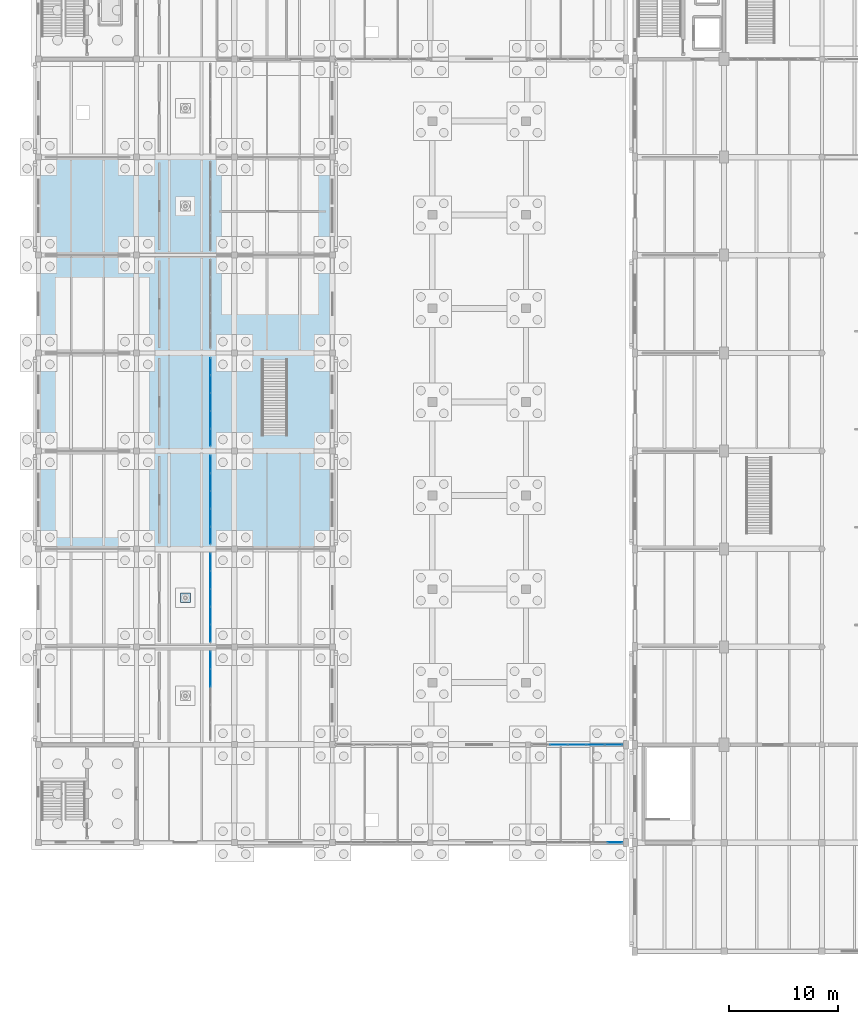
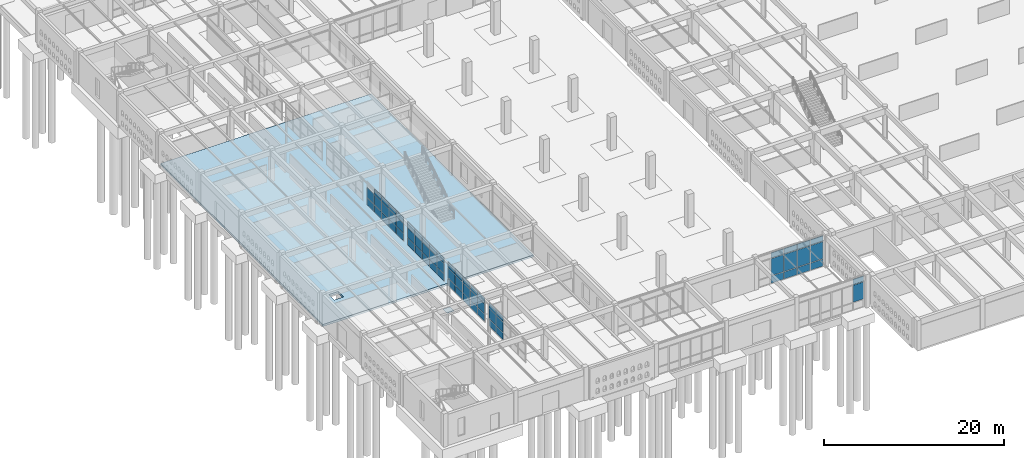
# One storey, part 142 of 186: 65 plates, 1 slab, 6 elements without a shape of their own.
"""IFC4 building model written with IfcOpenShell, lengths in metres."""

from ifc_helpers import new_model, si_unit, direction, frame, origin, origin_2d, place, context, subcontext, project, spatial, polyline, rectangle, outline, extrude, material, layer, layer_set, type_object, element, aggregate, save


model = new_model("IFC4")

# Units and contexts
model_context = context("Model", 3, precision=1e-05, world=origin(), true_north=direction((0.0, 1.0)))
body_context = subcontext(model_context, "Body", "Model", "MODEL_VIEW")
ifc_project = project(units=[si_unit("LENGTHUNIT", "METRE"), si_unit("AREAUNIT", "SQUARE_METRE"), si_unit("VOLUMEUNIT", "CUBIC_METRE"), si_unit("PLANEANGLEUNIT", "RADIAN"), si_unit("MASSUNIT", "GRAM", prefix="KILO")], contexts=[model_context])

# Site, building, storey
site_placement = place(None, origin())
site = spatial("IfcSite", under=ifc_project, at=site_placement, CompositionType="ELEMENT")
building_placement = place(site_placement, origin())
building = spatial("IfcBuilding", under=site, at=building_placement, Name="Ornek Quay Market", CompositionType="ELEMENT")
storey_placement = place(building_placement, origin())
storey = spatial("IfcBuildingStorey", under=building, at=storey_placement, Name="L00", CompositionType="ELEMENT", Elevation=0.0)

# Plate
ifc_material_1 = material(Name="Steel S355", Category="steel")
ifc_layer_1 = layer(ifc_material_1, 0.89990234375, Name="Steel S355", Category="steel")
ifc_layer_set_1 = layer_set([ifc_layer_1], Name="Steel S355")
plate_type_1 = type_object("IfcPlateType", Name="PL-BASE-900x900x40", PredefinedType="SHEET", material=ifc_layer_set_1)
plate_1_placement = place(storey_placement, frame((13.5, 42.5, -0.0400390625), z_axis=(0.0, 0.0, 1.0), x_axis=(1.0, 0.0, 0.0)))
element("IfcPlate", 1, at=plate_1_placement, inside=storey, type_object=plate_type_1, Name="Column base plate BP-05", PredefinedType="SHEET", context=body_context, shape_type="SweptSolid", body=[
    extrude(rectangle(XDim=0.89990234375, YDim=0.89990234375, at=origin_2d()), origin(), (0.0, 0.0, 1.0), 0.0400390625),
])

# Curtain wall, plates
ifc_material_2 = material(Name="Anodised bronze aluminium and triple low-e glass", Category="aluminium")
ifc_layer_2 = layer(ifc_material_2, 0.179931640625, Name="Anodised bronze aluminium and triple low-e glass", Category="aluminium")
ifc_layer_set_2 = layer_set([ifc_layer_2], Name="Anodised bronze aluminium and triple low-e glass")
curtain_wall_type_1 = type_object("IfcCurtainWallType", Name="CW-CONC-MOD1500", PredefinedType="USERDEFINED", material=ifc_layer_set_2)
curtain_wall_1_placement = place(storey_placement, origin())
curtain_wall_1 = element("IfcCurtainWall", 2, at=curtain_wall_1_placement, inside=storey, type_object=curtain_wall_type_1, Name="Curtain wall CW-134", ObjectType="CURTAIN WALL", PredefinedType="USERDEFINED")
ifc_material_3 = material(Name="Toughened laminated acoustic glass", Category="glass")
ifc_layer_3 = layer(ifc_material_3, 0.01611328125, Name="Toughened laminated acoustic glass", Category="glass")
ifc_layer_set_3 = layer_set([ifc_layer_3], Name="Toughened laminated acoustic glass")
plate_type_2 = type_object("IfcPlateType", Name="PL-CW-INT-16", PredefinedType="CURTAIN_PANEL", material=ifc_layer_set_3)
plate_2_placement = place(storey_placement, frame((15.800048828125, 35.139892578125, 0.06005859375), z_axis=(0.0, 0.0, 1.0), x_axis=(0.0, 1.0, 0.0)))
plate_2 = element("IfcPlate", 3, at=plate_2_placement, type_object=plate_type_2, Name="CW-134 panel 4.1", PredefinedType="CURTAIN_PANEL", context=body_context, shape_type="SweptSolid", body=[
    extrude(rectangle(XDim=1.580078125, YDim=0.01611328125, at=origin_2d()), origin(), (0.0, 0.0, 1.0), 0.9599609375),
])
plate_3_placement = place(storey_placement, frame((15.800048828125, 35.139892578125, 1.080078125), z_axis=(0.0, 0.0, 1.0), x_axis=(0.0, 1.0, 0.0)))
plate_3 = element("IfcPlate", 4, at=plate_3_placement, type_object=plate_type_2, Name="CW-134 panel 4.2", PredefinedType="CURTAIN_PANEL", context=body_context, shape_type="SweptSolid", body=[
    extrude(rectangle(XDim=1.580078125, YDim=0.01611328125, at=origin_2d()), origin(), (0.0, 0.0, 1.0), 1.340087890625),
])
plate_4_placement = place(storey_placement, frame((15.800048828125, 35.139892578125, 2.47998046875), z_axis=(0.0, 0.0, 1.0), x_axis=(0.0, 1.0, 0.0)))
plate_4 = element("IfcPlate", 5, at=plate_4_placement, type_object=plate_type_2, Name="CW-134 panel 4.3", PredefinedType="CURTAIN_PANEL", context=body_context, shape_type="SweptSolid", body=[
    extrude(rectangle(XDim=1.580078125, YDim=0.01611328125, at=origin_2d()), origin(), (0.0, 0.0, 1.0), 0.760009765625),
])
plate_5_placement = place(storey_placement, frame((15.800048828125, 36.764892578125, 0.06005859375), z_axis=(0.0, 0.0, 1.0), x_axis=(0.0, 1.0, 0.0)))
plate_5 = element("IfcPlate", 6, at=plate_5_placement, type_object=plate_type_2, Name="CW-134 panel 5.1", PredefinedType="CURTAIN_PANEL", context=body_context, shape_type="SweptSolid", body=[
    extrude(rectangle(XDim=1.550048828125, YDim=0.01611328125, at=origin_2d()), origin(), (0.0, 0.0, 1.0), 0.9599609375),
])
plate_6_placement = place(storey_placement, frame((15.800048828125, 36.764892578125, 1.080078125), z_axis=(0.0, 0.0, 1.0), x_axis=(0.0, 1.0, 0.0)))
plate_6 = element("IfcPlate", 7, at=plate_6_placement, type_object=plate_type_2, Name="CW-134 panel 5.2", PredefinedType="CURTAIN_PANEL", context=body_context, shape_type="SweptSolid", body=[
    extrude(rectangle(XDim=1.550048828125, YDim=0.01611328125, at=origin_2d()), origin(), (0.0, 0.0, 1.0), 1.340087890625),
])
plate_7_placement = place(storey_placement, frame((15.800048828125, 36.764892578125, 2.47998046875), z_axis=(0.0, 0.0, 1.0), x_axis=(0.0, 1.0, 0.0)))
plate_7 = element("IfcPlate", 8, at=plate_7_placement, type_object=plate_type_2, Name="CW-134 panel 5.3", PredefinedType="CURTAIN_PANEL", context=body_context, shape_type="SweptSolid", body=[
    extrude(rectangle(XDim=1.550048828125, YDim=0.01611328125, at=origin_2d()), origin(), (0.0, 0.0, 1.0), 0.760009765625),
])
aggregate(curtain_wall_1, [plate_2, plate_3, plate_4, plate_5, plate_6, plate_7])

curtain_wall_2_placement = place(storey_placement, origin())
curtain_wall_2 = element("IfcCurtainWall", 9, at=curtain_wall_2_placement, inside=storey, type_object=curtain_wall_type_1, Name="Curtain wall CW-136", ObjectType="CURTAIN WALL", PredefinedType="USERDEFINED")
plate_8_placement = place(storey_placement, frame((15.800048828125, 39.235107421875, 0.06005859375), z_axis=(0.0, 0.0, 1.0), x_axis=(0.0, 1.0, 0.0)))
plate_8 = element("IfcPlate", 10, at=plate_8_placement, type_object=plate_type_2, Name="CW-136 panel 1.1", PredefinedType="CURTAIN_PANEL", context=body_context, shape_type="SweptSolid", body=[
    extrude(rectangle(XDim=1.550048828125, YDim=0.01611328125, at=origin_2d()), origin(), (0.0, 0.0, 1.0), 0.9599609375),
])
plate_9_placement = place(storey_placement, frame((15.800048828125, 39.235107421875, 1.080078125), z_axis=(0.0, 0.0, 1.0), x_axis=(0.0, 1.0, 0.0)))
plate_9 = element("IfcPlate", 11, at=plate_9_placement, type_object=plate_type_2, Name="CW-136 panel 1.2", PredefinedType="CURTAIN_PANEL", context=body_context, shape_type="SweptSolid", body=[
    extrude(rectangle(XDim=1.550048828125, YDim=0.01611328125, at=origin_2d()), origin(), (0.0, 0.0, 1.0), 1.340087890625),
])
plate_10_placement = place(storey_placement, frame((15.800048828125, 39.235107421875, 2.47998046875), z_axis=(0.0, 0.0, 1.0), x_axis=(0.0, 1.0, 0.0)))
plate_10 = element("IfcPlate", 12, at=plate_10_placement, type_object=plate_type_2, Name="CW-136 panel 1.3", PredefinedType="CURTAIN_PANEL", context=body_context, shape_type="SweptSolid", body=[
    extrude(rectangle(XDim=1.550048828125, YDim=0.01611328125, at=origin_2d()), origin(), (0.0, 0.0, 1.0), 0.760009765625),
])
plate_11_placement = place(storey_placement, frame((15.800048828125, 40.860107421875, 0.06005859375), z_axis=(0.0, 0.0, 1.0), x_axis=(0.0, 1.0, 0.0)))
plate_11 = element("IfcPlate", 13, at=plate_11_placement, type_object=plate_type_2, Name="CW-136 panel 2.1", PredefinedType="CURTAIN_PANEL", context=body_context, shape_type="SweptSolid", body=[
    extrude(rectangle(XDim=1.580078125, YDim=0.01611328125, at=origin_2d()), origin(), (0.0, 0.0, 1.0), 0.9599609375),
])
plate_12_placement = place(storey_placement, frame((15.800048828125, 40.860107421875, 1.080078125), z_axis=(0.0, 0.0, 1.0), x_axis=(0.0, 1.0, 0.0)))
plate_12 = element("IfcPlate", 14, at=plate_12_placement, type_object=plate_type_2, Name="CW-136 panel 2.2", PredefinedType="CURTAIN_PANEL", context=body_context, shape_type="SweptSolid", body=[
    extrude(rectangle(XDim=1.580078125, YDim=0.01611328125, at=origin_2d()), origin(), (0.0, 0.0, 1.0), 1.340087890625),
])
plate_13_placement = place(storey_placement, frame((15.800048828125, 40.860107421875, 2.47998046875), z_axis=(0.0, 0.0, 1.0), x_axis=(0.0, 1.0, 0.0)))
plate_13 = element("IfcPlate", 15, at=plate_13_placement, type_object=plate_type_2, Name="CW-136 panel 2.3", PredefinedType="CURTAIN_PANEL", context=body_context, shape_type="SweptSolid", body=[
    extrude(rectangle(XDim=1.580078125, YDim=0.01611328125, at=origin_2d()), origin(), (0.0, 0.0, 1.0), 0.760009765625),
])
plate_14_placement = place(storey_placement, frame((15.800048828125, 42.5, 0.06005859375), z_axis=(0.0, 0.0, 1.0), x_axis=(0.0, 1.0, 0.0)))
plate_14 = element("IfcPlate", 16, at=plate_14_placement, type_object=plate_type_2, Name="CW-136 panel 3.1", PredefinedType="CURTAIN_PANEL", context=body_context, shape_type="SweptSolid", body=[
    extrude(rectangle(XDim=1.580078125, YDim=0.01611328125, at=origin_2d()), origin(), (0.0, 0.0, 1.0), 0.9599609375),
])
plate_15_placement = place(storey_placement, frame((15.800048828125, 42.5, 1.080078125), z_axis=(0.0, 0.0, 1.0), x_axis=(0.0, 1.0, 0.0)))
plate_15 = element("IfcPlate", 17, at=plate_15_placement, type_object=plate_type_2, Name="CW-136 panel 3.2", PredefinedType="CURTAIN_PANEL", context=body_context, shape_type="SweptSolid", body=[
    extrude(rectangle(XDim=1.580078125, YDim=0.01611328125, at=origin_2d()), origin(), (0.0, 0.0, 1.0), 1.340087890625),
])
plate_16_placement = place(storey_placement, frame((15.800048828125, 42.5, 2.47998046875), z_axis=(0.0, 0.0, 1.0), x_axis=(0.0, 1.0, 0.0)))
plate_16 = element("IfcPlate", 18, at=plate_16_placement, type_object=plate_type_2, Name="CW-136 panel 3.3", PredefinedType="CURTAIN_PANEL", context=body_context, shape_type="SweptSolid", body=[
    extrude(rectangle(XDim=1.580078125, YDim=0.01611328125, at=origin_2d()), origin(), (0.0, 0.0, 1.0), 0.760009765625),
])
plate_17_placement = place(storey_placement, frame((15.800048828125, 44.139892578125, 0.06005859375), z_axis=(0.0, 0.0, 1.0), x_axis=(0.0, 1.0, 0.0)))
plate_17 = element("IfcPlate", 19, at=plate_17_placement, type_object=plate_type_2, Name="CW-136 panel 4.1", PredefinedType="CURTAIN_PANEL", context=body_context, shape_type="SweptSolid", body=[
    extrude(rectangle(XDim=1.580078125, YDim=0.01611328125, at=origin_2d()), origin(), (0.0, 0.0, 1.0), 0.9599609375),
])
plate_18_placement = place(storey_placement, frame((15.800048828125, 44.139892578125, 1.080078125), z_axis=(0.0, 0.0, 1.0), x_axis=(0.0, 1.0, 0.0)))
plate_18 = element("IfcPlate", 20, at=plate_18_placement, type_object=plate_type_2, Name="CW-136 panel 4.2", PredefinedType="CURTAIN_PANEL", context=body_context, shape_type="SweptSolid", body=[
    extrude(rectangle(XDim=1.580078125, YDim=0.01611328125, at=origin_2d()), origin(), (0.0, 0.0, 1.0), 1.340087890625),
])
plate_19_placement = place(storey_placement, frame((15.800048828125, 44.139892578125, 2.47998046875), z_axis=(0.0, 0.0, 1.0), x_axis=(0.0, 1.0, 0.0)))
plate_19 = element("IfcPlate", 21, at=plate_19_placement, type_object=plate_type_2, Name="CW-136 panel 4.3", PredefinedType="CURTAIN_PANEL", context=body_context, shape_type="SweptSolid", body=[
    extrude(rectangle(XDim=1.580078125, YDim=0.01611328125, at=origin_2d()), origin(), (0.0, 0.0, 1.0), 0.760009765625),
])
plate_20_placement = place(storey_placement, frame((15.800048828125, 45.764892578125, 0.06005859375), z_axis=(0.0, 0.0, 1.0), x_axis=(0.0, 1.0, 0.0)))
plate_20 = element("IfcPlate", 22, at=plate_20_placement, type_object=plate_type_2, Name="CW-136 panel 5.1", PredefinedType="CURTAIN_PANEL", context=body_context, shape_type="SweptSolid", body=[
    extrude(rectangle(XDim=1.550048828125, YDim=0.01611328125, at=origin_2d()), origin(), (0.0, 0.0, 1.0), 0.9599609375),
])
plate_21_placement = place(storey_placement, frame((15.800048828125, 45.764892578125, 1.080078125), z_axis=(0.0, 0.0, 1.0), x_axis=(0.0, 1.0, 0.0)))
plate_21 = element("IfcPlate", 23, at=plate_21_placement, type_object=plate_type_2, Name="CW-136 panel 5.2", PredefinedType="CURTAIN_PANEL", context=body_context, shape_type="SweptSolid", body=[
    extrude(rectangle(XDim=1.550048828125, YDim=0.01611328125, at=origin_2d()), origin(), (0.0, 0.0, 1.0), 1.340087890625),
])
plate_22_placement = place(storey_placement, frame((15.800048828125, 45.764892578125, 2.47998046875), z_axis=(0.0, 0.0, 1.0), x_axis=(0.0, 1.0, 0.0)))
plate_22 = element("IfcPlate", 24, at=plate_22_placement, type_object=plate_type_2, Name="CW-136 panel 5.3", PredefinedType="CURTAIN_PANEL", context=body_context, shape_type="SweptSolid", body=[
    extrude(rectangle(XDim=1.550048828125, YDim=0.01611328125, at=origin_2d()), origin(), (0.0, 0.0, 1.0), 0.760009765625),
])
aggregate(curtain_wall_2, [plate_8, plate_9, plate_10, plate_11, plate_12, plate_13, plate_14, plate_15, plate_16, plate_17, plate_18, plate_19, plate_20, plate_21, plate_22])

curtain_wall_3_placement = place(storey_placement, origin())
curtain_wall_3 = element("IfcCurtainWall", 25, at=curtain_wall_3_placement, inside=storey, type_object=curtain_wall_type_1, Name="Curtain wall CW-138", ObjectType="CURTAIN WALL", PredefinedType="USERDEFINED")
plate_23_placement = place(storey_placement, frame((15.800048828125, 48.235107421875, 0.06005859375), z_axis=(0.0, 0.0, 1.0), x_axis=(0.0, 1.0, 0.0)))
plate_23 = element("IfcPlate", 26, at=plate_23_placement, type_object=plate_type_2, Name="CW-138 panel 1.1", PredefinedType="CURTAIN_PANEL", context=body_context, shape_type="SweptSolid", body=[
    extrude(rectangle(XDim=1.550048828125, YDim=0.01611328125, at=origin_2d()), origin(), (0.0, 0.0, 1.0), 0.9599609375),
])
plate_24_placement = place(storey_placement, frame((15.800048828125, 48.235107421875, 1.080078125), z_axis=(0.0, 0.0, 1.0), x_axis=(0.0, 1.0, 0.0)))
plate_24 = element("IfcPlate", 27, at=plate_24_placement, type_object=plate_type_2, Name="CW-138 panel 1.2", PredefinedType="CURTAIN_PANEL", context=body_context, shape_type="SweptSolid", body=[
    extrude(rectangle(XDim=1.550048828125, YDim=0.01611328125, at=origin_2d()), origin(), (0.0, 0.0, 1.0), 1.340087890625),
])
plate_25_placement = place(storey_placement, frame((15.800048828125, 48.235107421875, 2.47998046875), z_axis=(0.0, 0.0, 1.0), x_axis=(0.0, 1.0, 0.0)))
plate_25 = element("IfcPlate", 28, at=plate_25_placement, type_object=plate_type_2, Name="CW-138 panel 1.3", PredefinedType="CURTAIN_PANEL", context=body_context, shape_type="SweptSolid", body=[
    extrude(rectangle(XDim=1.550048828125, YDim=0.01611328125, at=origin_2d()), origin(), (0.0, 0.0, 1.0), 0.760009765625),
])
plate_26_placement = place(storey_placement, frame((15.800048828125, 49.860107421875, 0.06005859375), z_axis=(0.0, 0.0, 1.0), x_axis=(0.0, 1.0, 0.0)))
plate_26 = element("IfcPlate", 29, at=plate_26_placement, type_object=plate_type_2, Name="CW-138 panel 2.1", PredefinedType="CURTAIN_PANEL", context=body_context, shape_type="SweptSolid", body=[
    extrude(rectangle(XDim=1.580078125, YDim=0.01611328125, at=origin_2d()), origin(), (0.0, 0.0, 1.0), 0.9599609375),
])
plate_27_placement = place(storey_placement, frame((15.800048828125, 49.860107421875, 1.080078125), z_axis=(0.0, 0.0, 1.0), x_axis=(0.0, 1.0, 0.0)))
plate_27 = element("IfcPlate", 30, at=plate_27_placement, type_object=plate_type_2, Name="CW-138 panel 2.2", PredefinedType="CURTAIN_PANEL", context=body_context, shape_type="SweptSolid", body=[
    extrude(rectangle(XDim=1.580078125, YDim=0.01611328125, at=origin_2d()), origin(), (0.0, 0.0, 1.0), 1.340087890625),
])
plate_28_placement = place(storey_placement, frame((15.800048828125, 49.860107421875, 2.47998046875), z_axis=(0.0, 0.0, 1.0), x_axis=(0.0, 1.0, 0.0)))
plate_28 = element("IfcPlate", 31, at=plate_28_placement, type_object=plate_type_2, Name="CW-138 panel 2.3", PredefinedType="CURTAIN_PANEL", context=body_context, shape_type="SweptSolid", body=[
    extrude(rectangle(XDim=1.580078125, YDim=0.01611328125, at=origin_2d()), origin(), (0.0, 0.0, 1.0), 0.760009765625),
])
plate_29_placement = place(storey_placement, frame((15.800048828125, 51.5, 0.06005859375), z_axis=(0.0, 0.0, 1.0), x_axis=(0.0, 1.0, 0.0)))
plate_29 = element("IfcPlate", 32, at=plate_29_placement, type_object=plate_type_2, Name="CW-138 panel 3.1", PredefinedType="CURTAIN_PANEL", context=body_context, shape_type="SweptSolid", body=[
    extrude(rectangle(XDim=1.580078125, YDim=0.01611328125, at=origin_2d()), origin(), (0.0, 0.0, 1.0), 0.9599609375),
])
plate_30_placement = place(storey_placement, frame((15.800048828125, 51.5, 1.080078125), z_axis=(0.0, 0.0, 1.0), x_axis=(0.0, 1.0, 0.0)))
plate_30 = element("IfcPlate", 33, at=plate_30_placement, type_object=plate_type_2, Name="CW-138 panel 3.2", PredefinedType="CURTAIN_PANEL", context=body_context, shape_type="SweptSolid", body=[
    extrude(rectangle(XDim=1.580078125, YDim=0.01611328125, at=origin_2d()), origin(), (0.0, 0.0, 1.0), 1.340087890625),
])
plate_31_placement = place(storey_placement, frame((15.800048828125, 51.5, 2.47998046875), z_axis=(0.0, 0.0, 1.0), x_axis=(0.0, 1.0, 0.0)))
plate_31 = element("IfcPlate", 34, at=plate_31_placement, type_object=plate_type_2, Name="CW-138 panel 3.3", PredefinedType="CURTAIN_PANEL", context=body_context, shape_type="SweptSolid", body=[
    extrude(rectangle(XDim=1.580078125, YDim=0.01611328125, at=origin_2d()), origin(), (0.0, 0.0, 1.0), 0.760009765625),
])
plate_32_placement = place(storey_placement, frame((15.800048828125, 53.139892578125, 0.06005859375), z_axis=(0.0, 0.0, 1.0), x_axis=(0.0, 1.0, 0.0)))
plate_32 = element("IfcPlate", 35, at=plate_32_placement, type_object=plate_type_2, Name="CW-138 panel 4.1", PredefinedType="CURTAIN_PANEL", context=body_context, shape_type="SweptSolid", body=[
    extrude(rectangle(XDim=1.580078125, YDim=0.01611328125, at=origin_2d()), origin(), (0.0, 0.0, 1.0), 0.9599609375),
])
plate_33_placement = place(storey_placement, frame((15.800048828125, 53.139892578125, 1.080078125), z_axis=(0.0, 0.0, 1.0), x_axis=(0.0, 1.0, 0.0)))
plate_33 = element("IfcPlate", 36, at=plate_33_placement, type_object=plate_type_2, Name="CW-138 panel 4.2", PredefinedType="CURTAIN_PANEL", context=body_context, shape_type="SweptSolid", body=[
    extrude(rectangle(XDim=1.580078125, YDim=0.01611328125, at=origin_2d()), origin(), (0.0, 0.0, 1.0), 1.340087890625),
])
plate_34_placement = place(storey_placement, frame((15.800048828125, 53.139892578125, 2.47998046875), z_axis=(0.0, 0.0, 1.0), x_axis=(0.0, 1.0, 0.0)))
plate_34 = element("IfcPlate", 37, at=plate_34_placement, type_object=plate_type_2, Name="CW-138 panel 4.3", PredefinedType="CURTAIN_PANEL", context=body_context, shape_type="SweptSolid", body=[
    extrude(rectangle(XDim=1.580078125, YDim=0.01611328125, at=origin_2d()), origin(), (0.0, 0.0, 1.0), 0.760009765625),
])
plate_35_placement = place(storey_placement, frame((15.800048828125, 54.764892578125, 0.06005859375), z_axis=(0.0, 0.0, 1.0), x_axis=(0.0, 1.0, 0.0)))
plate_35 = element("IfcPlate", 38, at=plate_35_placement, type_object=plate_type_2, Name="CW-138 panel 5.1", PredefinedType="CURTAIN_PANEL", context=body_context, shape_type="SweptSolid", body=[
    extrude(rectangle(XDim=1.550048828125, YDim=0.01611328125, at=origin_2d()), origin(), (0.0, 0.0, 1.0), 0.9599609375),
])
plate_36_placement = place(storey_placement, frame((15.800048828125, 54.764892578125, 1.080078125), z_axis=(0.0, 0.0, 1.0), x_axis=(0.0, 1.0, 0.0)))
plate_36 = element("IfcPlate", 39, at=plate_36_placement, type_object=plate_type_2, Name="CW-138 panel 5.2", PredefinedType="CURTAIN_PANEL", context=body_context, shape_type="SweptSolid", body=[
    extrude(rectangle(XDim=1.550048828125, YDim=0.01611328125, at=origin_2d()), origin(), (0.0, 0.0, 1.0), 1.340087890625),
])
plate_37_placement = place(storey_placement, frame((15.800048828125, 54.764892578125, 2.47998046875), z_axis=(0.0, 0.0, 1.0), x_axis=(0.0, 1.0, 0.0)))
plate_37 = element("IfcPlate", 40, at=plate_37_placement, type_object=plate_type_2, Name="CW-138 panel 5.3", PredefinedType="CURTAIN_PANEL", context=body_context, shape_type="SweptSolid", body=[
    extrude(rectangle(XDim=1.550048828125, YDim=0.01611328125, at=origin_2d()), origin(), (0.0, 0.0, 1.0), 0.760009765625),
])
aggregate(curtain_wall_3, [plate_23, plate_24, plate_25, plate_26, plate_27, plate_28, plate_29, plate_30, plate_31, plate_32, plate_33, plate_34, plate_35, plate_36, plate_37])

curtain_wall_4_placement = place(storey_placement, origin())
curtain_wall_4 = element("IfcCurtainWall", 41, at=curtain_wall_4_placement, inside=storey, type_object=curtain_wall_type_1, Name="Curtain wall CW-140", ObjectType="CURTAIN WALL", PredefinedType="USERDEFINED")
plate_38_placement = place(storey_placement, frame((15.800048828125, 57.235107421875, 0.06005859375), z_axis=(0.0, 0.0, 1.0), x_axis=(0.0, 1.0, 0.0)))
plate_38 = element("IfcPlate", 42, at=plate_38_placement, type_object=plate_type_2, Name="CW-140 panel 1.1", PredefinedType="CURTAIN_PANEL", context=body_context, shape_type="SweptSolid", body=[
    extrude(rectangle(XDim=1.550048828125, YDim=0.01611328125, at=origin_2d()), origin(), (0.0, 0.0, 1.0), 0.9599609375),
])
plate_39_placement = place(storey_placement, frame((15.800048828125, 57.235107421875, 1.080078125), z_axis=(0.0, 0.0, 1.0), x_axis=(0.0, 1.0, 0.0)))
plate_39 = element("IfcPlate", 43, at=plate_39_placement, type_object=plate_type_2, Name="CW-140 panel 1.2", PredefinedType="CURTAIN_PANEL", context=body_context, shape_type="SweptSolid", body=[
    extrude(rectangle(XDim=1.550048828125, YDim=0.01611328125, at=origin_2d()), origin(), (0.0, 0.0, 1.0), 1.340087890625),
])
plate_40_placement = place(storey_placement, frame((15.800048828125, 57.235107421875, 2.47998046875), z_axis=(0.0, 0.0, 1.0), x_axis=(0.0, 1.0, 0.0)))
plate_40 = element("IfcPlate", 44, at=plate_40_placement, type_object=plate_type_2, Name="CW-140 panel 1.3", PredefinedType="CURTAIN_PANEL", context=body_context, shape_type="SweptSolid", body=[
    extrude(rectangle(XDim=1.550048828125, YDim=0.01611328125, at=origin_2d()), origin(), (0.0, 0.0, 1.0), 0.760009765625),
])
plate_41_placement = place(storey_placement, frame((15.800048828125, 58.860107421875, 0.06005859375), z_axis=(0.0, 0.0, 1.0), x_axis=(0.0, 1.0, 0.0)))
plate_41 = element("IfcPlate", 45, at=plate_41_placement, type_object=plate_type_2, Name="CW-140 panel 2.1", PredefinedType="CURTAIN_PANEL", context=body_context, shape_type="SweptSolid", body=[
    extrude(rectangle(XDim=1.580078125, YDim=0.01611328125, at=origin_2d()), origin(), (0.0, 0.0, 1.0), 0.9599609375),
])
plate_42_placement = place(storey_placement, frame((15.800048828125, 58.860107421875, 1.080078125), z_axis=(0.0, 0.0, 1.0), x_axis=(0.0, 1.0, 0.0)))
plate_42 = element("IfcPlate", 46, at=plate_42_placement, type_object=plate_type_2, Name="CW-140 panel 2.2", PredefinedType="CURTAIN_PANEL", context=body_context, shape_type="SweptSolid", body=[
    extrude(rectangle(XDim=1.580078125, YDim=0.01611328125, at=origin_2d()), origin(), (0.0, 0.0, 1.0), 1.340087890625),
])
plate_43_placement = place(storey_placement, frame((15.800048828125, 58.860107421875, 2.47998046875), z_axis=(0.0, 0.0, 1.0), x_axis=(0.0, 1.0, 0.0)))
plate_43 = element("IfcPlate", 47, at=plate_43_placement, type_object=plate_type_2, Name="CW-140 panel 2.3", PredefinedType="CURTAIN_PANEL", context=body_context, shape_type="SweptSolid", body=[
    extrude(rectangle(XDim=1.580078125, YDim=0.01611328125, at=origin_2d()), origin(), (0.0, 0.0, 1.0), 0.760009765625),
])
plate_44_placement = place(storey_placement, frame((15.800048828125, 60.5, 0.06005859375), z_axis=(0.0, 0.0, 1.0), x_axis=(0.0, 1.0, 0.0)))
plate_44 = element("IfcPlate", 48, at=plate_44_placement, type_object=plate_type_2, Name="CW-140 panel 3.1", PredefinedType="CURTAIN_PANEL", context=body_context, shape_type="SweptSolid", body=[
    extrude(rectangle(XDim=1.580078125, YDim=0.01611328125, at=origin_2d()), origin(), (0.0, 0.0, 1.0), 0.9599609375),
])
plate_45_placement = place(storey_placement, frame((15.800048828125, 60.5, 1.080078125), z_axis=(0.0, 0.0, 1.0), x_axis=(0.0, 1.0, 0.0)))
plate_45 = element("IfcPlate", 49, at=plate_45_placement, type_object=plate_type_2, Name="CW-140 panel 3.2", PredefinedType="CURTAIN_PANEL", context=body_context, shape_type="SweptSolid", body=[
    extrude(rectangle(XDim=1.580078125, YDim=0.01611328125, at=origin_2d()), origin(), (0.0, 0.0, 1.0), 1.340087890625),
])
plate_46_placement = place(storey_placement, frame((15.800048828125, 60.5, 2.47998046875), z_axis=(0.0, 0.0, 1.0), x_axis=(0.0, 1.0, 0.0)))
plate_46 = element("IfcPlate", 50, at=plate_46_placement, type_object=plate_type_2, Name="CW-140 panel 3.3", PredefinedType="CURTAIN_PANEL", context=body_context, shape_type="SweptSolid", body=[
    extrude(rectangle(XDim=1.580078125, YDim=0.01611328125, at=origin_2d()), origin(), (0.0, 0.0, 1.0), 0.760009765625),
])
plate_47_placement = place(storey_placement, frame((15.800048828125, 62.139892578125, 0.06005859375), z_axis=(0.0, 0.0, 1.0), x_axis=(0.0, 1.0, 0.0)))
plate_47 = element("IfcPlate", 51, at=plate_47_placement, type_object=plate_type_2, Name="CW-140 panel 4.1", PredefinedType="CURTAIN_PANEL", context=body_context, shape_type="SweptSolid", body=[
    extrude(rectangle(XDim=1.580078125, YDim=0.01611328125, at=origin_2d()), origin(), (0.0, 0.0, 1.0), 0.9599609375),
])
plate_48_placement = place(storey_placement, frame((15.800048828125, 62.139892578125, 1.080078125), z_axis=(0.0, 0.0, 1.0), x_axis=(0.0, 1.0, 0.0)))
plate_48 = element("IfcPlate", 52, at=plate_48_placement, type_object=plate_type_2, Name="CW-140 panel 4.2", PredefinedType="CURTAIN_PANEL", context=body_context, shape_type="SweptSolid", body=[
    extrude(rectangle(XDim=1.580078125, YDim=0.01611328125, at=origin_2d()), origin(), (0.0, 0.0, 1.0), 1.340087890625),
])
plate_49_placement = place(storey_placement, frame((15.800048828125, 62.139892578125, 2.47998046875), z_axis=(0.0, 0.0, 1.0), x_axis=(0.0, 1.0, 0.0)))
plate_49 = element("IfcPlate", 53, at=plate_49_placement, type_object=plate_type_2, Name="CW-140 panel 4.3", PredefinedType="CURTAIN_PANEL", context=body_context, shape_type="SweptSolid", body=[
    extrude(rectangle(XDim=1.580078125, YDim=0.01611328125, at=origin_2d()), origin(), (0.0, 0.0, 1.0), 0.760009765625),
])
plate_50_placement = place(storey_placement, frame((15.800048828125, 63.764892578125, 0.06005859375), z_axis=(0.0, 0.0, 1.0), x_axis=(0.0, 1.0, 0.0)))
plate_50 = element("IfcPlate", 54, at=plate_50_placement, type_object=plate_type_2, Name="CW-140 panel 5.1", PredefinedType="CURTAIN_PANEL", context=body_context, shape_type="SweptSolid", body=[
    extrude(rectangle(XDim=1.550048828125, YDim=0.01611328125, at=origin_2d()), origin(), (0.0, 0.0, 1.0), 0.9599609375),
])
plate_51_placement = place(storey_placement, frame((15.800048828125, 63.764892578125, 1.080078125), z_axis=(0.0, 0.0, 1.0), x_axis=(0.0, 1.0, 0.0)))
plate_51 = element("IfcPlate", 55, at=plate_51_placement, type_object=plate_type_2, Name="CW-140 panel 5.2", PredefinedType="CURTAIN_PANEL", context=body_context, shape_type="SweptSolid", body=[
    extrude(rectangle(XDim=1.550048828125, YDim=0.01611328125, at=origin_2d()), origin(), (0.0, 0.0, 1.0), 1.340087890625),
])
aggregate(curtain_wall_4, [plate_38, plate_39, plate_40, plate_41, plate_42, plate_43, plate_44, plate_45, plate_46, plate_47, plate_48, plate_49, plate_50, plate_51])

curtain_wall_5_placement = place(storey_placement, origin())
curtain_wall_5 = element("IfcCurtainWall", 56, at=curtain_wall_5_placement, inside=storey, type_object=curtain_wall_type_1, Name="Curtain wall CW-012", ObjectType="CURTAIN WALL", PredefinedType="USERDEFINED")
ifc_material_4 = material(Name="Triple insulated low-e glass", Category="glass")
ifc_layer_4 = layer(ifc_material_4, 0.035888671875, Name="Triple insulated low-e glass", Category="glass")
ifc_layer_set_4 = layer_set([ifc_layer_4], Name="Triple insulated low-e glass")
plate_type_3 = type_object("IfcPlateType", Name="PL-CW-TRIPLE-36", PredefinedType="CURTAIN_PANEL", material=ifc_layer_set_4)
plate_52_placement = place(storey_placement, frame((52.985107421875, 20.0, 1.080078125), z_axis=(0.0, 0.0, 1.0), x_axis=(1.0, 0.0, 0.0)))
plate_52 = element("IfcPlate", 57, at=plate_52_placement, type_object=plate_type_3, Name="CW-012 panel 6.2", PredefinedType="CURTAIN_PANEL", context=body_context, shape_type="SweptSolid", body=[
    extrude(rectangle(XDim=1.31005859375, YDim=0.035888671875, at=origin_2d()), origin(), (0.0, 0.0, 1.0), 2.31005859375),
])
plate_53_placement = place(storey_placement, frame((52.985107421875, 20.0, 3.4501953125), z_axis=(0.0, 0.0, 1.0), x_axis=(1.0, 0.0, 0.0)))
plate_53 = element("IfcPlate", 58, at=plate_53_placement, type_object=plate_type_3, Name="CW-012 panel 6.3", PredefinedType="CURTAIN_PANEL", context=body_context, shape_type="SweptSolid", body=[
    extrude(rectangle(XDim=1.31005859375, YDim=0.035888671875, at=origin_2d()), origin(), (0.0, 0.0, 1.0), 0.760009765625),
])
aggregate(curtain_wall_5, [plate_52, plate_53])

ifc_layer_5 = layer(ifc_material_2, 0.199951171875, Name="Anodised bronze aluminium and triple low-e glass", Category="aluminium")
ifc_layer_set_5 = layer_set([ifc_layer_5], Name="Anodised bronze aluminium and triple low-e glass")
curtain_wall_type_2 = type_object("IfcCurtainWallType", Name="CW-CONC-MOD1800", PredefinedType="USERDEFINED", material=ifc_layer_set_5)
curtain_wall_6_placement = place(storey_placement, origin())
curtain_wall_6 = element("IfcCurtainWall", 59, at=curtain_wall_6_placement, inside=storey, type_object=curtain_wall_type_2, Name="Curtain wall CW-011", ObjectType="CURTAIN WALL", PredefinedType="USERDEFINED")
ifc_layer_6 = layer(ifc_material_4, 0.0419921875, Name="Triple insulated low-e glass", Category="glass")
ifc_layer_set_6 = layer_set([ifc_layer_6], Name="Triple insulated low-e glass")
plate_type_4 = type_object("IfcPlateType", Name="PL-CW-TRIPLE-42", PredefinedType="CURTAIN_PANEL", material=ifc_layer_set_6)
plate_54_placement = place(storey_placement, frame((47.820068359375, 29.0, 0.06494140625), z_axis=(0.0, 0.0, 1.0), x_axis=(1.0, 0.0, 0.0)))
plate_54 = element("IfcPlate", 60, at=plate_54_placement, type_object=plate_type_4, Name="CW-011 panel 2.1", PredefinedType="CURTAIN_PANEL", context=body_context, shape_type="SweptSolid", body=[
    extrude(rectangle(XDim=1.614990234375, YDim=0.0419921875, at=origin_2d()), origin(), (0.0, 0.0, 1.0), 0.952392578125),
])
plate_55_placement = place(storey_placement, frame((47.820068359375, 29.0, 1.08251953125), z_axis=(0.0, 0.0, 1.0), x_axis=(1.0, 0.0, 0.0)))
plate_55 = element("IfcPlate", 61, at=plate_55_placement, type_object=plate_type_4, Name="CW-011 panel 2.2", PredefinedType="CURTAIN_PANEL", context=body_context, shape_type="SweptSolid", body=[
    extrude(rectangle(XDim=1.614990234375, YDim=0.0419921875, at=origin_2d()), origin(), (0.0, 0.0, 1.0), 2.304931640625),
])
plate_56_placement = place(storey_placement, frame((47.820068359375, 29.0, 3.45263671875), z_axis=(0.0, 0.0, 1.0), x_axis=(1.0, 0.0, 0.0)))
plate_56 = element("IfcPlate", 62, at=plate_56_placement, type_object=plate_type_4, Name="CW-011 panel 2.3", PredefinedType="CURTAIN_PANEL", context=body_context, shape_type="SweptSolid", body=[
    extrude(rectangle(XDim=1.614990234375, YDim=0.0419921875, at=origin_2d()), origin(), (0.0, 0.0, 1.0), 0.75244140625),
])
plate_57_placement = place(storey_placement, frame((49.5, 29.0, 0.06494140625), z_axis=(0.0, 0.0, 1.0), x_axis=(1.0, 0.0, 0.0)))
plate_57 = element("IfcPlate", 63, at=plate_57_placement, type_object=plate_type_4, Name="CW-011 panel 3.1", PredefinedType="CURTAIN_PANEL", context=body_context, shape_type="SweptSolid", body=[
    extrude(rectangle(XDim=1.614990234375, YDim=0.0419921875, at=origin_2d()), origin(), (0.0, 0.0, 1.0), 0.952392578125),
])
plate_58_placement = place(storey_placement, frame((49.5, 29.0, 1.08251953125), z_axis=(0.0, 0.0, 1.0), x_axis=(1.0, 0.0, 0.0)))
plate_58 = element("IfcPlate", 64, at=plate_58_placement, type_object=plate_type_4, Name="CW-011 panel 3.2", PredefinedType="CURTAIN_PANEL", context=body_context, shape_type="SweptSolid", body=[
    extrude(rectangle(XDim=1.614990234375, YDim=0.0419921875, at=origin_2d()), origin(), (0.0, 0.0, 1.0), 2.304931640625),
])
plate_59_placement = place(storey_placement, frame((49.5, 29.0, 3.45263671875), z_axis=(0.0, 0.0, 1.0), x_axis=(1.0, 0.0, 0.0)))
plate_59 = element("IfcPlate", 65, at=plate_59_placement, type_object=plate_type_4, Name="CW-011 panel 3.3", PredefinedType="CURTAIN_PANEL", context=body_context, shape_type="SweptSolid", body=[
    extrude(rectangle(XDim=1.614990234375, YDim=0.0419921875, at=origin_2d()), origin(), (0.0, 0.0, 1.0), 0.75244140625),
])
plate_60_placement = place(storey_placement, frame((51.179931640625, 29.0, 0.06494140625), z_axis=(0.0, 0.0, 1.0), x_axis=(1.0, 0.0, 0.0)))
plate_60 = element("IfcPlate", 66, at=plate_60_placement, type_object=plate_type_4, Name="CW-011 panel 4.1", PredefinedType="CURTAIN_PANEL", context=body_context, shape_type="SweptSolid", body=[
    extrude(rectangle(XDim=1.614990234375, YDim=0.0419921875, at=origin_2d()), origin(), (0.0, 0.0, 1.0), 0.952392578125),
])
plate_61_placement = place(storey_placement, frame((51.179931640625, 29.0, 1.08251953125), z_axis=(0.0, 0.0, 1.0), x_axis=(1.0, 0.0, 0.0)))
plate_61 = element("IfcPlate", 67, at=plate_61_placement, type_object=plate_type_4, Name="CW-011 panel 4.2", PredefinedType="CURTAIN_PANEL", context=body_context, shape_type="SweptSolid", body=[
    extrude(rectangle(XDim=1.614990234375, YDim=0.0419921875, at=origin_2d()), origin(), (0.0, 0.0, 1.0), 2.304931640625),
])
plate_62_placement = place(storey_placement, frame((51.179931640625, 29.0, 3.45263671875), z_axis=(0.0, 0.0, 1.0), x_axis=(1.0, 0.0, 0.0)))
plate_62 = element("IfcPlate", 68, at=plate_62_placement, type_object=plate_type_4, Name="CW-011 panel 4.3", PredefinedType="CURTAIN_PANEL", context=body_context, shape_type="SweptSolid", body=[
    extrude(rectangle(XDim=1.614990234375, YDim=0.0419921875, at=origin_2d()), origin(), (0.0, 0.0, 1.0), 0.75244140625),
])
plate_63_placement = place(storey_placement, frame((52.84375, 29.0, 0.06494140625), z_axis=(0.0, 0.0, 1.0), x_axis=(1.0, 0.0, 0.0)))
plate_63 = element("IfcPlate", 69, at=plate_63_placement, type_object=plate_type_4, Name="CW-011 panel 5.1", PredefinedType="CURTAIN_PANEL", context=body_context, shape_type="SweptSolid", body=[
    extrude(rectangle(XDim=1.58251953125, YDim=0.0419921875, at=origin_2d()), origin(), (0.0, 0.0, 1.0), 0.952392578125),
])
plate_64_placement = place(storey_placement, frame((52.84375, 29.0, 1.08251953125), z_axis=(0.0, 0.0, 1.0), x_axis=(1.0, 0.0, 0.0)))
plate_64 = element("IfcPlate", 70, at=plate_64_placement, type_object=plate_type_4, Name="CW-011 panel 5.2", PredefinedType="CURTAIN_PANEL", context=body_context, shape_type="SweptSolid", body=[
    extrude(rectangle(XDim=1.58251953125, YDim=0.0419921875, at=origin_2d()), origin(), (0.0, 0.0, 1.0), 2.304931640625),
])
plate_65_placement = place(storey_placement, frame((52.84375, 29.0, 3.45263671875), z_axis=(0.0, 0.0, 1.0), x_axis=(1.0, 0.0, 0.0)))
plate_65 = element("IfcPlate", 71, at=plate_65_placement, type_object=plate_type_4, Name="CW-011 panel 5.3", PredefinedType="CURTAIN_PANEL", context=body_context, shape_type="SweptSolid", body=[
    extrude(rectangle(XDim=1.58251953125, YDim=0.0419921875, at=origin_2d()), origin(), (0.0, 0.0, 1.0), 0.75244140625),
])
aggregate(curtain_wall_6, [plate_54, plate_55, plate_56, plate_57, plate_58, plate_59, plate_60, plate_61, plate_62, plate_63, plate_64, plate_65])

# Slab
ifc_material_5 = material(Name="Concrete C35/45", Category="concrete")
ifc_layer_7 = layer(ifc_material_5, 0.280029296875, Name="Concrete C35/45", Category="concrete")
ifc_layer_set_7 = layer_set([ifc_layer_7], Name="Concrete C35/45")
slab_type = type_object("IfcSlabType", Name="SL-FLR-WING-280", PredefinedType="FLOOR", material=ifc_layer_set_7)
slab_placement = place(storey_placement, frame((0.0, 0.0, -0.280029296875)))
element("IfcSlab", 72, at=slab_placement, inside=storey, type_object=slab_type, Name="Slab S-004 (L00)", PredefinedType="FLOOR", context=body_context, shape_type="SweptSolid", body=[
    extrude(outline(polyline([(0.0, 47.0), (27.0, 47.0), (27.0, 83.0), (0.0, 83.0), (0.0, 47.0)]), holes=[polyline([(3.5, 51.699951171875), (4.699951171875, 51.699951171875), (4.699951171875, 50.5), (3.5, 50.5), (3.5, 51.699951171875)])]), origin(), (0.0, 0.0, 1.0), 0.280029296875),
])

save(model, "model.ifc")
